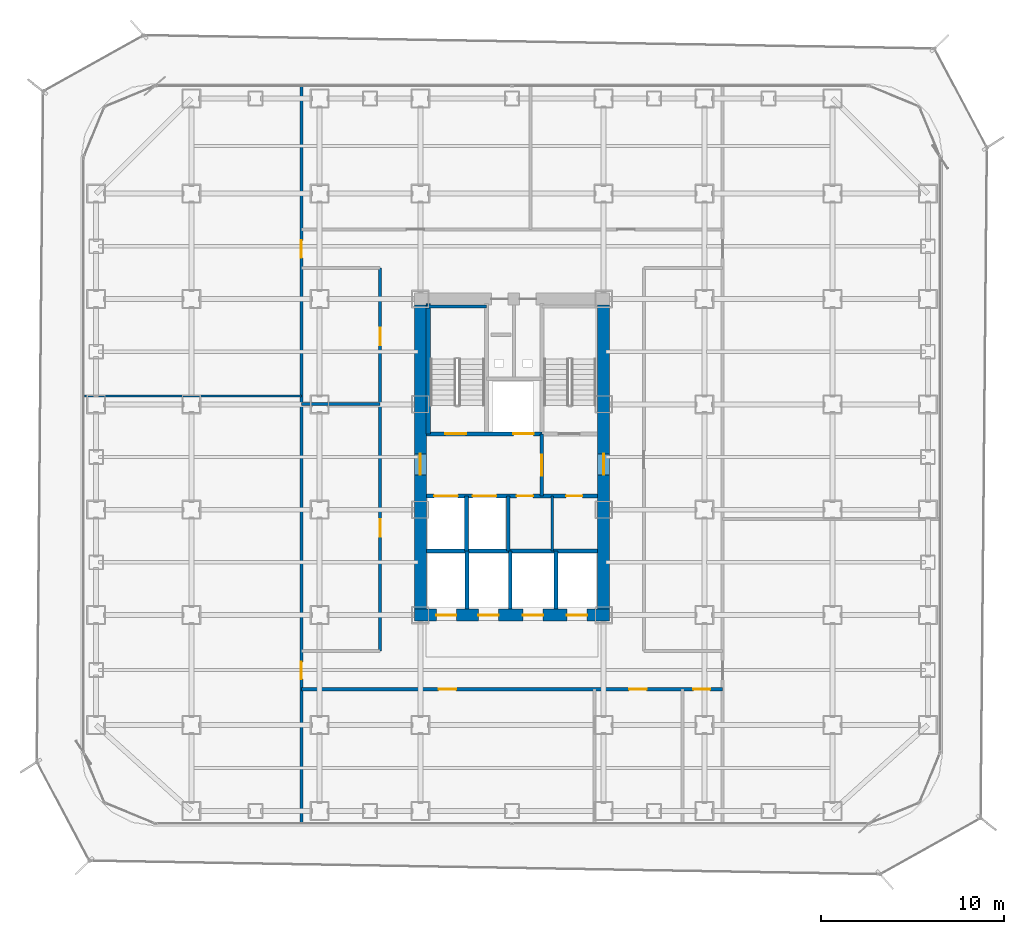
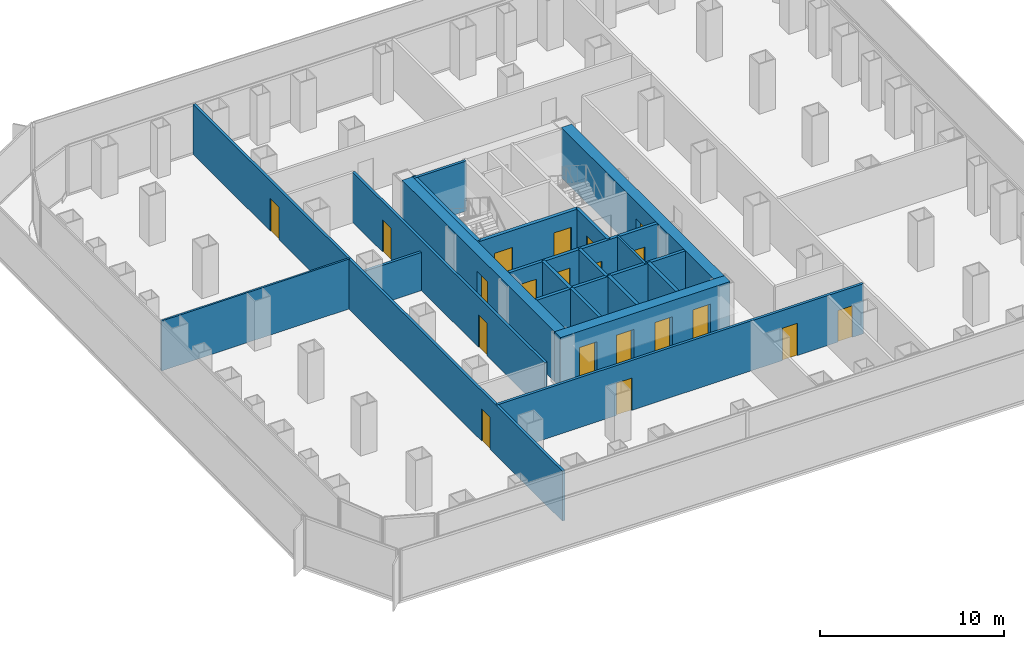
# One storey, part 17 of 21: 20 doors, 20 walls, 20 openings.
"""IFC4 building model written with IfcOpenShell, lengths in metres."""

from ifc_helpers import new_model, si_unit, direction, frame, frame_2d, origin, place, context, subcontext, project, spatial, rectangle, extrude, material, layer, layer_set, type_object, element, fill, save


model = new_model("IFC4")

# Units and contexts
model_context = context("Model", 3, precision=1e-05, world=origin(), true_north=direction((0.0, 1.0)))
body_context = subcontext(model_context, "Body", "Model", "MODEL_VIEW")
ifc_project = project(units=[si_unit("LENGTHUNIT", "METRE"), si_unit("AREAUNIT", "SQUARE_METRE"), si_unit("VOLUMEUNIT", "CUBIC_METRE"), si_unit("PLANEANGLEUNIT", "RADIAN"), si_unit("MASSUNIT", "GRAM", prefix="KILO")], contexts=[model_context])

# Site, building, storey
site_placement = place(None, origin())
site = spatial("IfcSite", under=ifc_project, at=site_placement, CompositionType="ELEMENT")
building_placement = place(site_placement, origin())
building = spatial("IfcBuilding", under=site, at=building_placement, Name="Kolveth Station Tower", CompositionType="ELEMENT")
storey_placement = place(building_placement, frame((0.0, 0.0, 58.5)))
storey = spatial("IfcBuildingStorey", under=building, at=storey_placement, Name="L15", CompositionType="ELEMENT", Elevation=58.5)

# Wall, openings, doors
ifc_material_1 = material(Name="Concrete C60/75", Category="concrete")
ifc_layer_1 = layer(ifc_material_1, 0.64990234375)
ifc_layer_set_1 = layer_set([ifc_layer_1], Name="Concrete C60/75")
wall_type_1 = type_object("IfcWallType", Name="Wall_CW-650", PredefinedType="SHEAR", material=ifc_layer_set_1)
wall_1_placement = place(storey_placement, frame((18.175048828125, 11.5, 0.0), z_axis=(0.0, 0.0, 1.0), x_axis=(1.0, 0.0, 0.0)))
wall_1 = element("IfcWall", 1, at=wall_1_placement, inside=storey, type_object=wall_type_1, Name="L15 Core RC Shear Wall S", PredefinedType="SHEAR", context=body_context, shape_type="SweptSolid", body=[
    extrude(rectangle(XDim=10.64990234375, YDim=0.64990234375, at=frame_2d((5.324951171875, 0.0))), origin(), (0.0, 0.0, 1.0), 3.320068359375),
])
opening_1_placement = place(wall_1_placement, frame((1.195068359375, 0.0, 0.0)))
opening_1 = element("IfcOpeningElement", 2, at=opening_1_placement, cuts=wall_1, Name="Opening LD1", PredefinedType="OPENING", context=body_context, shape_type="SweptSolid", body=[
    extrude(rectangle(XDim=1.10009765625, YDim=2.25, at=frame_2d((0.550048828125, 1.125))), frame((0.0, 0.3349609375, 0.0), z_axis=(0.0, -1.0, 0.0), x_axis=(1.0, 0.0, 0.0)), (0.0, 0.0, 1.0), 0.669921875),
])
opening_2_placement = place(wall_1_placement, frame((3.4951171875, 0.0, 0.0)))
opening_2 = element("IfcOpeningElement", 3, at=opening_2_placement, cuts=wall_1, Name="Opening LD1", PredefinedType="OPENING", context=body_context, shape_type="SweptSolid", body=[
    extrude(rectangle(XDim=1.10009765625, YDim=2.25, at=frame_2d((0.550048828125, 1.125))), frame((0.0, 0.3349609375, 0.0), z_axis=(0.0, -1.0, 0.0), x_axis=(1.0, 0.0, 0.0)), (0.0, 0.0, 1.0), 0.669921875),
])
opening_3_placement = place(wall_1_placement, frame((5.925048828125, 0.0, 0.0)))
opening_3 = element("IfcOpeningElement", 4, at=opening_3_placement, cuts=wall_1, Name="Opening LD1", PredefinedType="OPENING", context=body_context, shape_type="SweptSolid", body=[
    extrude(rectangle(XDim=1.10009765625, YDim=2.25, at=frame_2d((0.550048828125, 1.125))), frame((0.0, 0.3349609375, 0.0), z_axis=(0.0, -1.0, 0.0), x_axis=(1.0, 0.0, 0.0)), (0.0, 0.0, 1.0), 0.669921875),
])
opening_4_placement = place(wall_1_placement, frame((8.324951171875, 0.0, 0.0)))
opening_4 = element("IfcOpeningElement", 5, at=opening_4_placement, cuts=wall_1, Name="Opening LD1", PredefinedType="OPENING", context=body_context, shape_type="SweptSolid", body=[
    extrude(rectangle(XDim=1.10009765625, YDim=2.25, at=frame_2d((0.550048828125, 1.125))), frame((0.0, 0.3349609375, 0.0), z_axis=(0.0, -1.0, 0.0), x_axis=(1.0, 0.0, 0.0)), (0.0, 0.0, 1.0), 0.669921875),
])
ifc_material_2 = material(Name="Brushed stainless steel sliding landing doors", Category="steel")
door_type_1 = type_object("IfcDoorType", Name="Door_LD1", OperationType="NOTDEFINED", PredefinedType="DOOR", material=ifc_material_2)
door_1_placement = place(opening_1_placement, frame((1.10009765625, 0.0, 0.0), z_axis=(0.0, 0.0, 1.0), x_axis=(-1.0, 0.0, 0.0)))
door_1 = element("IfcDoor", 6, at=door_1_placement, inside=storey, type_object=door_type_1, Name="L15 Lift PL1 Landing Door", OperationType="DOUBLE_DOOR_SLIDING", OverallHeight=2.25, OverallWidth=1.10009765625, PredefinedType="DOOR", context=body_context, shape_type="SweptSolid", body=[
    extrude(rectangle(XDim=1.10009765625, YDim=2.25, at=frame_2d((0.550048828125, 1.125))), frame((0.0, 0.02490234375, 0.0), z_axis=(0.0, -1.0, 0.0), x_axis=(1.0, 0.0, 0.0)), (0.0, 0.0, 1.0), 0.050048828125),
])
fill(opening_1, door_1)
door_2_placement = place(opening_2_placement, frame((1.10009765625, 0.0, 0.0), z_axis=(0.0, 0.0, 1.0), x_axis=(-1.0, 0.0, 0.0)))
door_2 = element("IfcDoor", 7, at=door_2_placement, inside=storey, type_object=door_type_1, Name="L15 Lift PL2 Landing Door", OperationType="DOUBLE_DOOR_SLIDING", OverallHeight=2.25, OverallWidth=1.10009765625, PredefinedType="DOOR", context=body_context, shape_type="SweptSolid", body=[
    extrude(rectangle(XDim=1.10009765625, YDim=2.25, at=frame_2d((0.550048828125, 1.125))), frame((0.0, 0.02490234375, 0.0), z_axis=(0.0, -1.0, 0.0), x_axis=(1.0, 0.0, 0.0)), (0.0, 0.0, 1.0), 0.050048828125),
])
fill(opening_2, door_2)
door_3_placement = place(opening_3_placement, frame((1.10009765625, 0.0, 0.0), z_axis=(0.0, 0.0, 1.0), x_axis=(-1.0, 0.0, 0.0)))
door_3 = element("IfcDoor", 8, at=door_3_placement, inside=storey, type_object=door_type_1, Name="L15 Lift PM1 Landing Door", OperationType="DOUBLE_DOOR_SLIDING", OverallHeight=2.25, OverallWidth=1.10009765625, PredefinedType="DOOR", context=body_context, shape_type="SweptSolid", body=[
    extrude(rectangle(XDim=1.10009765625, YDim=2.25, at=frame_2d((0.550048828125, 1.125))), frame((0.0, 0.02490234375, 0.0), z_axis=(0.0, -1.0, 0.0), x_axis=(1.0, 0.0, 0.0)), (0.0, 0.0, 1.0), 0.050048828125),
])
fill(opening_3, door_3)
door_4_placement = place(opening_4_placement, frame((1.10009765625, 0.0, 0.0), z_axis=(0.0, 0.0, 1.0), x_axis=(-1.0, 0.0, 0.0)))
door_4 = element("IfcDoor", 9, at=door_4_placement, inside=storey, type_object=door_type_1, Name="L15 Lift PH1 Landing Door", OperationType="DOUBLE_DOOR_SLIDING", OverallHeight=2.25, OverallWidth=1.10009765625, PredefinedType="DOOR", context=body_context, shape_type="SweptSolid", body=[
    extrude(rectangle(XDim=1.10009765625, YDim=2.25, at=frame_2d((0.550048828125, 1.125))), frame((0.0, 0.02490234375, 0.0), z_axis=(0.0, -1.0, 0.0), x_axis=(1.0, 0.0, 0.0)), (0.0, 0.0, 1.0), 0.050048828125),
])
fill(opening_4, door_4)

# Wall, opening, door
wall_2_placement = place(storey_placement, frame((18.5, 11.824951171875, 0.0), z_axis=(0.0, 0.0, 1.0), x_axis=(0.0, 1.0, 0.0)))
wall_2 = element("IfcWall", 10, at=wall_2_placement, inside=storey, type_object=wall_type_1, Name="L15 Core RC Shear Wall W", PredefinedType="SHEAR", context=body_context, shape_type="SweptSolid", body=[
    extrude(rectangle(XDim=16.60009765625, YDim=0.64990234375, at=frame_2d((8.300048828125, 0.0))), origin(), (0.0, 0.0, 1.0), 3.320068359375),
])
opening_5_placement = place(wall_2_placement, frame((7.324951171875, 0.0, 0.0)))
opening_5 = element("IfcOpeningElement", 11, at=opening_5_placement, cuts=wall_2, Name="Opening FD1", PredefinedType="OPENING", context=body_context, shape_type="SweptSolid", body=[
    extrude(rectangle(XDim=1.14990234375, YDim=2.199951171875, at=frame_2d((0.574951171875, 1.10009765625))), frame((0.0, 0.3349609375, 0.0), z_axis=(0.0, -1.0, 0.0), x_axis=(1.0, 0.0, 0.0)), (0.0, 0.0, 1.0), 0.669921875),
])
ifc_material_3 = material(Name="Fire-rated Steel S355 leaf and frame", Category="steel")
door_type_2 = type_object("IfcDoorType", Name="Door_FD1", OperationType="NOTDEFINED", PredefinedType="DOOR", material=ifc_material_3)
door_5_placement = place(opening_5_placement, frame((1.14990234375, 0.0, 0.0), z_axis=(0.0, 0.0, 1.0), x_axis=(-1.0, 0.0, 0.0)))
door_5 = element("IfcDoor", 12, at=door_5_placement, inside=storey, type_object=door_type_2, Name="L15 West Corridor to Firefighting Lobby Door", OperationType="SINGLE_SWING_RIGHT", OverallHeight=2.199951171875, OverallWidth=1.14990234375, PredefinedType="DOOR", context=body_context, shape_type="SweptSolid", body=[
    extrude(rectangle(XDim=1.14990234375, YDim=2.199951171875, at=frame_2d((0.574951171875, 1.10009765625))), frame((0.0, 0.02490234375, 0.0), z_axis=(0.0, -1.0, 0.0), x_axis=(1.0, 0.0, 0.0)), (0.0, 0.0, 1.0), 0.050048828125),
])
fill(opening_5, door_5)

wall_3_placement = place(storey_placement, frame((28.5, 11.824951171875, 0.0), z_axis=(0.0, 0.0, 1.0), x_axis=(0.0, 1.0, 0.0)))
wall_3 = element("IfcWall", 13, at=wall_3_placement, inside=storey, type_object=wall_type_1, Name="L15 Core RC Shear Wall E", PredefinedType="SHEAR", context=body_context, shape_type="SweptSolid", body=[
    extrude(rectangle(XDim=16.60009765625, YDim=0.64990234375, at=frame_2d((8.300048828125, 0.0))), origin(), (0.0, 0.0, 1.0), 3.320068359375),
])
opening_6_placement = place(wall_3_placement, frame((7.324951171875, 0.0, 0.0)))
opening_6 = element("IfcOpeningElement", 14, at=opening_6_placement, cuts=wall_3, Name="Opening FD1", PredefinedType="OPENING", context=body_context, shape_type="SweptSolid", body=[
    extrude(rectangle(XDim=1.14990234375, YDim=2.199951171875, at=frame_2d((0.574951171875, 1.10009765625))), frame((0.0, 0.3349609375, 0.0), z_axis=(0.0, -1.0, 0.0), x_axis=(1.0, 0.0, 0.0)), (0.0, 0.0, 1.0), 0.669921875),
])
door_6_placement = place(opening_6_placement, origin())
door_6 = element("IfcDoor", 15, at=door_6_placement, inside=storey, type_object=door_type_2, Name="L15 East Corridor to Stair Lobby Door", OperationType="SINGLE_SWING_LEFT", OverallHeight=2.199951171875, OverallWidth=1.14990234375, PredefinedType="DOOR", context=body_context, shape_type="SweptSolid", body=[
    extrude(rectangle(XDim=1.14990234375, YDim=2.199951171875, at=frame_2d((0.574951171875, 1.10009765625))), frame((0.0, 0.02490234375, 0.0), z_axis=(0.0, -1.0, 0.0), x_axis=(1.0, 0.0, 0.0)), (0.0, 0.0, 1.0), 0.050048828125),
])
fill(opening_6, door_6)

# Walls
ifc_material_4 = material(Name="Framed gypsum partition")
ifc_layer_2 = layer(ifc_material_4, 0.114990234375)
ifc_layer_set_2 = layer_set([ifc_layer_2], Name="Framed gypsum partition")
wall_type_2 = type_object("IfcWallType", Name="Wall_IW-115", PredefinedType="PARTITIONING", material=ifc_layer_set_2)
wall_4_placement = place(storey_placement, frame((0.159912109375, 23.449951171875, 0.0), z_axis=(0.0, 0.0, 1.0), x_axis=(1.0, 0.0, 0.0)))
element("IfcWall", 16, at=wall_4_placement, inside=storey, type_object=wall_type_2, Name="L15 Partition Wall WL-L15-OWM", PredefinedType="PARTITIONING", context=body_context, shape_type="SweptSolid", body=[
    extrude(rectangle(XDim=11.840087890625, YDim=0.114990234375, at=frame_2d((5.919921875, 0.0))), origin(), (0.0, 0.0, 1.0), 3.320068359375),
])
ifc_material_5 = material(Name="Moisture-resistant gypsum partition")
ifc_layer_3 = layer(ifc_material_5, 0.135009765625)
ifc_layer_set_3 = layer_set([ifc_layer_3], Name="Moisture-resistant gypsum partition")
wall_type_3 = type_object("IfcWallType", Name="Wall_IW-135", PredefinedType="PARTITIONING", material=ifc_layer_set_3)
wall_5_placement = place(storey_placement, frame((25.699951171875, 15.0, 0.0), z_axis=(0.0, 0.0, 1.0), x_axis=(0.0, 1.0, 0.0)))
element("IfcWall", 17, at=wall_5_placement, inside=storey, type_object=wall_type_3, Name="L15 Partition Wall WL-L15-CB-V1", PredefinedType="PARTITIONING", context=body_context, shape_type="SweptSolid", body=[
    extrude(rectangle(XDim=3.0, YDim=0.135009765625, at=frame_2d((1.5, 0.0))), origin(), (0.0, 0.0, 1.0), 3.320068359375),
])
ifc_material_6 = material(Name="Acoustic double-stud gypsum partition")
ifc_layer_4 = layer(ifc_material_6, 0.1650390625)
ifc_layer_set_4 = layer_set([ifc_layer_4], Name="Acoustic double-stud gypsum partition")
wall_type_4 = type_object("IfcWallType", Name="Wall_IW-165", PredefinedType="PARTITIONING", material=ifc_layer_set_4)
wall_6_placement = place(storey_placement, frame((18.8349609375, 28.3349609375, 0.0), z_axis=(0.0, 0.0, 1.0), x_axis=(1.0, 0.0, 0.0)))
element("IfcWall", 18, at=wall_6_placement, inside=storey, type_object=wall_type_4, Name="L15 Stair Shaft Wall WL-L15-ST1-N", PredefinedType="PARTITIONING", context=body_context, shape_type="SweptSolid", body=[
    extrude(rectangle(XDim=3.275146484375, YDim=0.1650390625, at=frame_2d((1.6376953125, 0.0))), origin(), (0.0, 0.0, 1.0), 3.320068359375),
])

# Wall, openings, doors
wall_7_placement = place(storey_placement, frame((12.0, 7.449951171875, 0.0), z_axis=(0.0, 0.0, 1.0), x_axis=(1.0, 0.0, 0.0)))
wall_7 = element("IfcWall", 19, at=wall_7_placement, inside=storey, type_object=wall_type_4, Name="L15 Partition Wall WL-L15-OS", PredefinedType="PARTITIONING", context=body_context, shape_type="SweptSolid", body=[
    extrude(rectangle(XDim=23.0, YDim=0.1650390625, at=frame_2d((11.5, 0.0))), origin(), (0.0, 0.0, 1.0), 3.320068359375),
])
opening_7_placement = place(wall_7_placement, frame((7.5, 0.0, 0.0)))
opening_7 = element("IfcOpeningElement", 20, at=opening_7_placement, cuts=wall_7, Name="Opening ID1", PredefinedType="OPENING", context=body_context, shape_type="SweptSolid", body=[
    extrude(rectangle(XDim=0.949951171875, YDim=2.14990234375, at=frame_2d((0.47509765625, 1.074951171875))), frame((0.0, 0.092529296875, 0.0), z_axis=(0.0, -1.0, 0.0), x_axis=(1.0, 0.0, 0.0)), (0.0, 0.0, 1.0), 0.18505859375),
])
opening_8_placement = place(wall_7_placement, frame((17.89990234375, 0.0, 0.0)))
opening_8 = element("IfcOpeningElement", 21, at=opening_8_placement, cuts=wall_7, Name="Opening ID1", PredefinedType="OPENING", context=body_context, shape_type="SweptSolid", body=[
    extrude(rectangle(XDim=0.949951171875, YDim=2.14990234375, at=frame_2d((0.47509765625, 1.074951171875))), frame((0.0, 0.092529296875, 0.0), z_axis=(0.0, -1.0, 0.0), x_axis=(1.0, 0.0, 0.0)), (0.0, 0.0, 1.0), 0.18505859375),
])
opening_9_placement = place(wall_7_placement, frame((21.39990234375, 0.0, 0.0)))
opening_9 = element("IfcOpeningElement", 22, at=opening_9_placement, cuts=wall_7, Name="Opening ID2", PredefinedType="OPENING", context=body_context, shape_type="SweptSolid", body=[
    extrude(rectangle(XDim=0.919921875, YDim=2.10009765625, at=frame_2d((0.4599609375, 1.050048828125))), frame((0.0, 0.092529296875, 0.0), z_axis=(0.0, -1.0, 0.0), x_axis=(1.0, 0.0, 0.0)), (0.0, 0.0, 1.0), 0.18505859375),
])
ifc_material_7 = material(Name="Acoustic hardwood leaf and aluminium frame", Category="wood")
door_type_3 = type_object("IfcDoorType", Name="Door_ID1", OperationType="NOTDEFINED", PredefinedType="DOOR", material=ifc_material_7)
door_7_placement = place(opening_7_placement, frame((0.949951171875, 0.0, 0.0), z_axis=(0.0, 0.0, 1.0), x_axis=(-1.0, 0.0, 0.0)))
door_7 = element("IfcDoor", 23, at=door_7_placement, inside=storey, type_object=door_type_3, Name="L15 Engineering Co-Working Hall Door", OperationType="SINGLE_SWING_RIGHT", OverallHeight=2.14990234375, OverallWidth=0.949951171875, PredefinedType="DOOR", context=body_context, shape_type="SweptSolid", body=[
    extrude(rectangle(XDim=0.949951171875, YDim=2.14990234375, at=frame_2d((0.47509765625, 1.074951171875))), frame((0.0, 0.02490234375, 0.0), z_axis=(0.0, -1.0, 0.0), x_axis=(1.0, 0.0, 0.0)), (0.0, 0.0, 1.0), 0.050048828125),
])
fill(opening_7, door_7)
door_8_placement = place(opening_8_placement, frame((0.949951171875, 0.0, 0.0), z_axis=(0.0, 0.0, 1.0), x_axis=(-1.0, 0.0, 0.0)))
door_8 = element("IfcDoor", 24, at=door_8_placement, inside=storey, type_object=door_type_3, Name="L15 Wellness First Aid Room Door", OperationType="SINGLE_SWING_LEFT", OverallHeight=2.14990234375, OverallWidth=0.949951171875, PredefinedType="DOOR", context=body_context, shape_type="SweptSolid", body=[
    extrude(rectangle(XDim=0.949951171875, YDim=2.14990234375, at=frame_2d((0.47509765625, 1.074951171875))), frame((0.0, 0.02490234375, 0.0), z_axis=(0.0, -1.0, 0.0), x_axis=(1.0, 0.0, 0.0)), (0.0, 0.0, 1.0), 0.050048828125),
])
fill(opening_8, door_8)
ifc_material_8 = material(Name="Moisture-resistant hardwood leaf", Category="wood")
door_type_4 = type_object("IfcDoorType", Name="Door_ID2", OperationType="NOTDEFINED", PredefinedType="DOOR", material=ifc_material_8)
door_9_placement = place(opening_9_placement, frame((0.919921875, 0.0, 0.0), z_axis=(0.0, 0.0, 1.0), x_axis=(-1.0, 0.0, 0.0)))
door_9 = element("IfcDoor", 25, at=door_9_placement, inside=storey, type_object=door_type_4, Name="L15 Accessible WC Door", OperationType="SINGLE_SWING_LEFT", OverallHeight=2.10009765625, OverallWidth=0.919921875, PredefinedType="DOOR", context=body_context, shape_type="SweptSolid", body=[
    extrude(rectangle(XDim=0.919921875, YDim=2.10009765625, at=frame_2d((0.4599609375, 1.050048828125))), frame((0.0, 0.02490234375, 0.0), z_axis=(0.0, -1.0, 0.0), x_axis=(1.0, 0.0, 0.0)), (0.0, 0.0, 1.0), 0.050048828125),
])
fill(opening_9, door_9)

wall_8_placement = place(storey_placement, frame((16.300048828125, 9.550048828125, 0.0), z_axis=(0.0, 0.0, 1.0), x_axis=(0.0, 1.0, 0.0)))
wall_8 = element("IfcWall", 26, at=wall_8_placement, inside=storey, type_object=wall_type_4, Name="L15 Partition Wall WL-L15-OCW", PredefinedType="PARTITIONING", context=body_context, shape_type="SweptSolid", body=[
    extrude(rectangle(XDim=20.89990234375, YDim=0.1650390625, at=frame_2d((10.449951171875, 0.0))), origin(), (0.0, 0.0, 1.0), 3.320068359375),
])
opening_10_placement = place(wall_8_placement, frame((6.23095703125, 0.0, 0.0)))
opening_10 = element("IfcOpeningElement", 27, at=opening_10_placement, cuts=wall_8, Name="Opening ID1", PredefinedType="OPENING", context=body_context, shape_type="SweptSolid", body=[
    extrude(rectangle(XDim=0.949951171875, YDim=2.14990234375, at=frame_2d((0.47509765625, 1.074951171875))), frame((0.0, 0.092529296875, 0.0), z_axis=(0.0, -1.0, 0.0), x_axis=(1.0, 0.0, 0.0)), (0.0, 0.0, 1.0), 0.18505859375),
])
opening_11_placement = place(wall_8_placement, frame((16.680908203125, 0.0, 0.0)))
opening_11 = element("IfcOpeningElement", 28, at=opening_11_placement, cuts=wall_8, Name="Opening ID1", PredefinedType="OPENING", context=body_context, shape_type="SweptSolid", body=[
    extrude(rectangle(XDim=0.949951171875, YDim=2.14990234375, at=frame_2d((0.47509765625, 1.074951171875))), frame((0.0, 0.092529296875, 0.0), z_axis=(0.0, -1.0, 0.0), x_axis=(1.0, 0.0, 0.0)), (0.0, 0.0, 1.0), 0.18505859375),
])
door_10_placement = place(opening_10_placement, frame((0.949951171875, 0.0, 0.0), z_axis=(0.0, 0.0, 1.0), x_axis=(-1.0, 0.0, 0.0)))
door_10 = element("IfcDoor", 29, at=door_10_placement, inside=storey, type_object=door_type_3, Name="L15 Internal Meeting Room W1 Door", OperationType="SINGLE_SWING_LEFT", OverallHeight=2.14990234375, OverallWidth=0.949951171875, PredefinedType="DOOR", context=body_context, shape_type="SweptSolid", body=[
    extrude(rectangle(XDim=0.949951171875, YDim=2.14990234375, at=frame_2d((0.47509765625, 1.074951171875))), frame((0.0, 0.02490234375, 0.0), z_axis=(0.0, -1.0, 0.0), x_axis=(1.0, 0.0, 0.0)), (0.0, 0.0, 1.0), 0.050048828125),
])
fill(opening_10, door_10)
door_11_placement = place(opening_11_placement, frame((0.949951171875, 0.0, 0.0), z_axis=(0.0, 0.0, 1.0), x_axis=(-1.0, 0.0, 0.0)))
door_11 = element("IfcDoor", 30, at=door_11_placement, inside=storey, type_object=door_type_3, Name="L15 Print and Archive Room Door", OperationType="SINGLE_SWING_RIGHT", OverallHeight=2.14990234375, OverallWidth=0.949951171875, PredefinedType="DOOR", context=body_context, shape_type="SweptSolid", body=[
    extrude(rectangle(XDim=0.949951171875, YDim=2.14990234375, at=frame_2d((0.47509765625, 1.074951171875))), frame((0.0, 0.02490234375, 0.0), z_axis=(0.0, -1.0, 0.0), x_axis=(1.0, 0.0, 0.0)), (0.0, 0.0, 1.0), 0.050048828125),
])
fill(opening_11, door_11)

wall_9_placement = place(storey_placement, frame((12.0, 0.159912109375, 0.0), z_axis=(0.0, 0.0, 1.0), x_axis=(0.0, 1.0, 0.0)))
wall_9 = element("IfcWall", 31, at=wall_9_placement, inside=storey, type_object=wall_type_4, Name="L15 Partition Wall WL-L15-OWEND", PredefinedType="PARTITIONING", context=body_context, shape_type="SweptSolid", body=[
    extrude(rectangle(XDim=40.18017578125, YDim=0.1650390625, at=frame_2d((20.090087890625, 0.0))), origin(), (0.0, 0.0, 1.0), 3.320068359375),
])
opening_12_placement = place(wall_9_placement, frame((7.840087890625, 0.0, 0.0)))
opening_12 = element("IfcOpeningElement", 32, at=opening_12_placement, cuts=wall_9, Name="Opening ID1", PredefinedType="OPENING", context=body_context, shape_type="SweptSolid", body=[
    extrude(rectangle(XDim=0.949951171875, YDim=2.14990234375, at=frame_2d((0.47509765625, 1.074951171875))), frame((0.0, 0.092529296875, 0.0), z_axis=(0.0, -1.0, 0.0), x_axis=(1.0, 0.0, 0.0)), (0.0, 0.0, 1.0), 0.18505859375),
])
opening_13_placement = place(wall_9_placement, frame((30.840087890625, 0.0, 0.0)))
opening_13 = element("IfcOpeningElement", 33, at=opening_13_placement, cuts=wall_9, Name="Opening ID1", PredefinedType="OPENING", context=body_context, shape_type="SweptSolid", body=[
    extrude(rectangle(XDim=0.949951171875, YDim=2.14990234375, at=frame_2d((0.47509765625, 1.074951171875))), frame((0.0, 0.092529296875, 0.0), z_axis=(0.0, -1.0, 0.0), x_axis=(1.0, 0.0, 0.0)), (0.0, 0.0, 1.0), 0.18505859375),
])
door_12_placement = place(opening_12_placement, frame((0.949951171875, 0.0, 0.0), z_axis=(0.0, 0.0, 1.0), x_axis=(-1.0, 0.0, 0.0)))
door_12 = element("IfcDoor", 34, at=door_12_placement, inside=storey, type_object=door_type_3, Name="L15 West-South Wing Door", OperationType="SINGLE_SWING_LEFT", OverallHeight=2.14990234375, OverallWidth=0.949951171875, PredefinedType="DOOR", context=body_context, shape_type="SweptSolid", body=[
    extrude(rectangle(XDim=0.949951171875, YDim=2.14990234375, at=frame_2d((0.47509765625, 1.074951171875))), frame((0.0, 0.02490234375, 0.0), z_axis=(0.0, -1.0, 0.0), x_axis=(1.0, 0.0, 0.0)), (0.0, 0.0, 1.0), 0.050048828125),
])
fill(opening_12, door_12)
door_13_placement = place(opening_13_placement, frame((0.949951171875, 0.0, 0.0), z_axis=(0.0, 0.0, 1.0), x_axis=(-1.0, 0.0, 0.0)))
door_13 = element("IfcDoor", 35, at=door_13_placement, inside=storey, type_object=door_type_3, Name="L15 West-North Wing Door", OperationType="SINGLE_SWING_RIGHT", OverallHeight=2.14990234375, OverallWidth=0.949951171875, PredefinedType="DOOR", context=body_context, shape_type="SweptSolid", body=[
    extrude(rectangle(XDim=0.949951171875, YDim=2.14990234375, at=frame_2d((0.47509765625, 1.074951171875))), frame((0.0, 0.02490234375, 0.0), z_axis=(0.0, -1.0, 0.0), x_axis=(1.0, 0.0, 0.0)), (0.0, 0.0, 1.0), 0.050048828125),
])
fill(opening_13, door_13)

# Wall
wall_10_placement = place(storey_placement, frame((12.0, 23.011962890625, 0.0), z_axis=(0.0, 0.0, 1.0), x_axis=(1.0, 0.0, 0.0)))
element("IfcWall", 36, at=wall_10_placement, inside=storey, type_object=wall_type_4, Name="L15 Partition Wall WL-L15-OIW-P1", PredefinedType="PARTITIONING", context=body_context, shape_type="SweptSolid", body=[
    extrude(rectangle(XDim=4.300048828125, YDim=0.1650390625, at=frame_2d((2.14990234375, 0.0))), origin(), (0.0, 0.0, 1.0), 2.5390625),
])

# Wall, opening, door
ifc_material_9 = material(Name="Acoustic fire-rated gypsum blockwork", Category="masonry")
ifc_layer_5 = layer(ifc_material_9, 0.199951171875)
ifc_layer_set_5 = layer_set([ifc_layer_5], Name="Acoustic fire-rated gypsum blockwork")
wall_type_5 = type_object("IfcWallType", Name="Wall_IW-200", PredefinedType="PARTITIONING", material=ifc_layer_set_5)
wall_11_placement = place(storey_placement, frame((25.1298828125, 18.0, 0.0), z_axis=(0.0, 0.0, 1.0), x_axis=(0.0, 1.0, 0.0)))
wall_11 = element("IfcWall", 37, at=wall_11_placement, inside=storey, type_object=wall_type_5, Name="L15 Partition Wall WL-L15-FFL-E", PredefinedType="PARTITIONING", context=body_context, shape_type="SweptSolid", body=[
    extrude(rectangle(XDim=3.389892578125, YDim=0.199951171875, at=frame_2d((1.69482421875, 0.0))), origin(), (0.0, 0.0, 1.0), 3.320068359375),
])
opening_14_placement = place(wall_11_placement, frame((1.10009765625, 0.0, 0.0)))
opening_14 = element("IfcOpeningElement", 38, at=opening_14_placement, cuts=wall_11, Name="Opening FD1", PredefinedType="OPENING", context=body_context, shape_type="SweptSolid", body=[
    extrude(rectangle(XDim=1.14990234375, YDim=2.199951171875, at=frame_2d((0.574951171875, 1.10009765625))), frame((0.0, 0.10986328125, 0.0), z_axis=(0.0, -1.0, 0.0), x_axis=(1.0, 0.0, 0.0)), (0.0, 0.0, 1.0), 0.219970703125),
])
door_14_placement = place(opening_14_placement, origin())
door_14 = element("IfcDoor", 39, at=door_14_placement, inside=storey, type_object=door_type_2, Name="L15 Firefighting to Stair Lobby Door", OperationType="SINGLE_SWING_LEFT", OverallHeight=2.199951171875, OverallWidth=1.14990234375, PredefinedType="DOOR", context=body_context, shape_type="SweptSolid", body=[
    extrude(rectangle(XDim=1.14990234375, YDim=2.199951171875, at=frame_2d((0.574951171875, 1.10009765625))), frame((0.0, 0.02490234375, 0.0), z_axis=(0.0, -1.0, 0.0), x_axis=(1.0, 0.0, 0.0)), (0.0, 0.0, 1.0), 0.050048828125),
])
fill(opening_14, door_14)

# Wall, openings, doors
wall_12_placement = place(storey_placement, frame((18.8349609375, 18.0, 0.0), z_axis=(0.0, 0.0, 1.0), x_axis=(1.0, 0.0, 0.0)))
wall_12 = element("IfcWall", 40, at=wall_12_placement, inside=storey, type_object=wall_type_5, Name="L15 Partition Wall WL-L15-FFL-S", PredefinedType="PARTITIONING", context=body_context, shape_type="SweptSolid", body=[
    extrude(rectangle(XDim=9.330078125, YDim=0.199951171875, at=frame_2d((4.6650390625, 0.0))), origin(), (0.0, 0.0, 1.0), 3.320068359375),
])
opening_15_placement = place(wall_12_placement, frame((0.4150390625, 0.0, 0.0)))
opening_15 = element("IfcOpeningElement", 41, at=opening_15_placement, cuts=wall_12, Name="Opening LD2", PredefinedType="OPENING", context=body_context, shape_type="SweptSolid", body=[
    extrude(rectangle(XDim=1.300048828125, YDim=2.300048828125, at=frame_2d((0.64990234375, 1.14990234375))), frame((0.0, 0.10986328125, 0.0), z_axis=(0.0, -1.0, 0.0), x_axis=(1.0, 0.0, 0.0)), (0.0, 0.0, 1.0), 0.219970703125),
])
opening_16_placement = place(wall_12_placement, frame((2.514892578125, 0.0, 0.0)))
opening_16 = element("IfcOpeningElement", 42, at=opening_16_placement, cuts=wall_12, Name="Opening LD2", PredefinedType="OPENING", context=body_context, shape_type="SweptSolid", body=[
    extrude(rectangle(XDim=1.300048828125, YDim=2.300048828125, at=frame_2d((0.64990234375, 1.14990234375))), frame((0.0, 0.10986328125, 0.0), z_axis=(0.0, -1.0, 0.0), x_axis=(1.0, 0.0, 0.0)), (0.0, 0.0, 1.0), 0.219970703125),
])
opening_17_placement = place(wall_12_placement, frame((4.9150390625, 0.0, 0.0)))
opening_17 = element("IfcOpeningElement", 43, at=opening_17_placement, cuts=wall_12, Name="Opening RD1", PredefinedType="OPENING", context=body_context, shape_type="SweptSolid", body=[
    extrude(rectangle(XDim=0.89990234375, YDim=2.050048828125, at=frame_2d((0.449951171875, 1.02490234375))), frame((0.0, 0.10986328125, 0.0), z_axis=(0.0, -1.0, 0.0), x_axis=(1.0, 0.0, 0.0)), (0.0, 0.0, 1.0), 0.219970703125),
])
opening_18_placement = place(wall_12_placement, frame((7.614990234375, 0.0, 0.0)))
opening_18 = element("IfcOpeningElement", 44, at=opening_18_placement, cuts=wall_12, Name="Opening RD1", PredefinedType="OPENING", context=body_context, shape_type="SweptSolid", body=[
    extrude(rectangle(XDim=0.89990234375, YDim=2.050048828125, at=frame_2d((0.449951171875, 1.02490234375))), frame((0.0, 0.10986328125, 0.0), z_axis=(0.0, -1.0, 0.0), x_axis=(1.0, 0.0, 0.0)), (0.0, 0.0, 1.0), 0.219970703125),
])
ifc_material_10 = material(Name="Firefighting stainless steel sliding landing doors", Category="steel")
door_type_5 = type_object("IfcDoorType", Name="Door_LD2", OperationType="NOTDEFINED", PredefinedType="DOOR", material=ifc_material_10)
door_15_placement = place(opening_15_placement, origin())
door_15 = element("IfcDoor", 45, at=door_15_placement, inside=storey, type_object=door_type_5, Name="L15 Firefighting Lift FF1 Landing Door", OperationType="DOUBLE_DOOR_SLIDING", OverallHeight=2.300048828125, OverallWidth=1.300048828125, PredefinedType="DOOR", context=body_context, shape_type="SweptSolid", body=[
    extrude(rectangle(XDim=1.300048828125, YDim=2.300048828125, at=frame_2d((0.64990234375, 1.14990234375))), frame((0.0, 0.02490234375, 0.0), z_axis=(0.0, -1.0, 0.0), x_axis=(1.0, 0.0, 0.0)), (0.0, 0.0, 1.0), 0.050048828125),
])
fill(opening_15, door_15)
door_16_placement = place(opening_16_placement, origin())
door_16 = element("IfcDoor", 46, at=door_16_placement, inside=storey, type_object=door_type_5, Name="L15 Firefighting Lift FF2 Landing Door", OperationType="DOUBLE_DOOR_SLIDING", OverallHeight=2.300048828125, OverallWidth=1.300048828125, PredefinedType="DOOR", context=body_context, shape_type="SweptSolid", body=[
    extrude(rectangle(XDim=1.300048828125, YDim=2.300048828125, at=frame_2d((0.64990234375, 1.14990234375))), frame((0.0, 0.02490234375, 0.0), z_axis=(0.0, -1.0, 0.0), x_axis=(1.0, 0.0, 0.0)), (0.0, 0.0, 1.0), 0.050048828125),
])
fill(opening_16, door_16)
ifc_material_11 = material(Name="Fire-rated Steel S355 riser access leaf", Category="steel")
door_type_6 = type_object("IfcDoorType", Name="Door_RD1", OperationType="NOTDEFINED", PredefinedType="DOOR", material=ifc_material_11)
door_17_placement = place(opening_17_placement, frame((0.89990234375, 0.0, 0.0), z_axis=(0.0, 0.0, 1.0), x_axis=(-1.0, 0.0, 0.0)))
door_17 = element("IfcDoor", 47, at=door_17_placement, inside=storey, type_object=door_type_6, Name="L15 Core Accessible WC Door", OperationType="SINGLE_SWING_RIGHT", OverallHeight=2.050048828125, OverallWidth=0.89990234375, PredefinedType="DOOR", context=body_context, shape_type="SweptSolid", body=[
    extrude(rectangle(XDim=0.89990234375, YDim=2.050048828125, at=frame_2d((0.449951171875, 1.02490234375))), frame((0.0, 0.02490234375, 0.0), z_axis=(0.0, -1.0, 0.0), x_axis=(1.0, 0.0, 0.0)), (0.0, 0.0, 1.0), 0.050048828125),
])
fill(opening_17, door_17)
door_18_placement = place(opening_18_placement, frame((0.89990234375, 0.0, 0.0), z_axis=(0.0, 0.0, 1.0), x_axis=(-1.0, 0.0, 0.0)))
door_18 = element("IfcDoor", 48, at=door_18_placement, inside=storey, type_object=door_type_6, Name="L15 Core Cleaner Store Door", OperationType="SINGLE_SWING_LEFT", OverallHeight=2.050048828125, OverallWidth=0.89990234375, PredefinedType="DOOR", context=body_context, shape_type="SweptSolid", body=[
    extrude(rectangle(XDim=0.89990234375, YDim=2.050048828125, at=frame_2d((0.449951171875, 1.02490234375))), frame((0.0, 0.02490234375, 0.0), z_axis=(0.0, -1.0, 0.0), x_axis=(1.0, 0.0, 0.0)), (0.0, 0.0, 1.0), 0.050048828125),
])
fill(opening_18, door_18)

# Walls
for number, where, z_axis, x_axis, name in (
    (49, (21.02001953125, 15.0, 0.0), (0.0, 0.0, 1.0), (0.0, 1.0, 0.0), "L15 Partition Wall WL-L15-FF12"),
    (50, (23.300048828125, 15.0, 0.0), (0.0, 0.0, 1.0), (0.0, 1.0, 0.0), "L15 Partition Wall WL-L15-FF2E"),
):
    element("IfcWall", number, at=place(storey_placement, frame(where, z_axis=z_axis, x_axis=x_axis)), inside=storey, type_object=wall_type_5, Name=name, PredefinedType="PARTITIONING", context=body_context, shape_type="SweptSolid", body=[
        extrude(rectangle(XDim=3.0, YDim=0.199951171875, at=frame_2d((1.5, 0.0))), origin(), (0.0, 0.0, 1.0), 3.320068359375),
    ])
wall_13_placement = place(storey_placement, frame((18.8349609375, 15.0, 0.0), z_axis=(0.0, 0.0, 1.0), x_axis=(1.0, 0.0, 0.0)))
element("IfcWall", 51, at=wall_13_placement, inside=storey, type_object=wall_type_5, Name="L15 Partition Wall WL-L15-BOH-S", PredefinedType="PARTITIONING", context=body_context, shape_type="SweptSolid", body=[
    extrude(rectangle(XDim=9.330078125, YDim=0.199951171875, at=frame_2d((4.6650390625, 0.0))), origin(), (0.0, 0.0, 1.0), 3.320068359375),
])
for number, where, z_axis, x_axis, name in (
    (52, (21.050048828125, 11.8349609375, 0.0), (0.0, 0.0, 1.0), (0.0, 1.0, 0.0), "L15 Partition Wall WL-L15-PL12"),
    (53, (23.39990234375, 11.8349609375, 0.0), (0.0, 0.0, 1.0), (0.0, 1.0, 0.0), "L15 Partition Wall WL-L15-PL2E"),
    (54, (25.89990234375, 11.8349609375, 0.0), (0.0, 0.0, 1.0), (0.0, 1.0, 0.0), "L15 Partition Wall WL-L15-PMPH"),
):
    element("IfcWall", number, at=place(storey_placement, frame(where, z_axis=z_axis, x_axis=x_axis)), inside=storey, type_object=wall_type_5, Name=name, PredefinedType="PARTITIONING", context=body_context, shape_type="SweptSolid", body=[
        extrude(rectangle(XDim=3.1650390625, YDim=0.199951171875, at=frame_2d((1.58251953125, 0.0))), origin(), (0.0, 0.0, 1.0), 3.320068359375),
    ])
ifc_material_12 = material(Name="Concrete C40/50", Category="concrete")
ifc_layer_6 = layer(ifc_material_12, 0.219970703125)
ifc_layer_set_6 = layer_set([ifc_layer_6], Name="Concrete C40/50")
wall_type_6 = type_object("IfcWallType", Name="Wall_IW-220", PredefinedType="SOLIDWALL", material=ifc_layer_set_6)
wall_14_placement = place(storey_placement, frame((18.929931640625, 21.389892578125, 0.0), z_axis=(0.0, 0.0, 1.0), x_axis=(0.0, 1.0, 0.0)))
element("IfcWall", 55, at=wall_14_placement, inside=storey, type_object=wall_type_6, Name="L15 Stair Shaft Wall WL-L15-ST1-W", PredefinedType="SOLIDWALL", context=body_context, shape_type="SweptSolid", body=[
    extrude(rectangle(XDim=7.110107421875, YDim=0.219970703125, at=frame_2d((3.55517578125, 0.0))), origin(), (0.0, 0.0, 1.0), 3.320068359375),
])

# Wall, openings, doors
wall_15_placement = place(storey_placement, frame((18.8349609375, 21.389892578125, 0.0), z_axis=(0.0, 0.0, 1.0), x_axis=(1.0, 0.0, 0.0)))
wall_15 = element("IfcWall", 56, at=wall_15_placement, inside=storey, type_object=wall_type_6, Name="L15 Stair Shaft Wall WL-L15-ST1-S", PredefinedType="SOLIDWALL", context=body_context, shape_type="SweptSolid", body=[
    extrude(rectangle(XDim=6.294921875, YDim=0.219970703125, at=frame_2d((3.1474609375, 0.0))), origin(), (0.0, 0.0, 1.0), 3.320068359375),
])
opening_19_placement = place(wall_15_placement, frame((1.014892578125, 0.0, 0.0)))
opening_19 = element("IfcOpeningElement", 57, at=opening_19_placement, cuts=wall_15, Name="Opening FD1", PredefinedType="OPENING", context=body_context, shape_type="SweptSolid", body=[
    extrude(rectangle(XDim=1.14990234375, YDim=2.199951171875, at=frame_2d((0.574951171875, 1.10009765625))), frame((0.0, 0.119873046875, 0.0), z_axis=(0.0, -1.0, 0.0), x_axis=(1.0, 0.0, 0.0)), (0.0, 0.0, 1.0), 0.239990234375),
])
opening_20_placement = place(wall_15_placement, frame((4.7451171875, 0.0, 0.0)))
opening_20 = element("IfcOpeningElement", 58, at=opening_20_placement, cuts=wall_15, Name="Opening LD1", PredefinedType="OPENING", context=body_context, shape_type="SweptSolid", body=[
    extrude(rectangle(XDim=1.10009765625, YDim=2.25, at=frame_2d((0.550048828125, 1.125))), frame((0.0, 0.119873046875, 0.0), z_axis=(0.0, -1.0, 0.0), x_axis=(1.0, 0.0, 0.0)), (0.0, 0.0, 1.0), 0.239990234375),
])
door_19_placement = place(opening_19_placement, frame((1.14990234375, 0.0, 0.0), z_axis=(0.0, 0.0, 1.0), x_axis=(-1.0, 0.0, 0.0)))
door_19 = element("IfcDoor", 59, at=door_19_placement, inside=storey, type_object=door_type_2, Name="L15 Stair ST1 Fire Door", OperationType="SINGLE_SWING_LEFT", OverallHeight=2.199951171875, OverallWidth=1.14990234375, PredefinedType="DOOR", context=body_context, shape_type="SweptSolid", body=[
    extrude(rectangle(XDim=1.14990234375, YDim=2.199951171875, at=frame_2d((0.574951171875, 1.10009765625))), frame((0.0, 0.02490234375, 0.0), z_axis=(0.0, -1.0, 0.0), x_axis=(1.0, 0.0, 0.0)), (0.0, 0.0, 1.0), 0.050048828125),
])
fill(opening_19, door_19)
door_20_placement = place(opening_20_placement, frame((1.10009765625, 0.0, 0.0), z_axis=(0.0, 0.0, 1.0), x_axis=(-1.0, 0.0, 0.0)))
door_20 = element("IfcDoor", 60, at=door_20_placement, inside=storey, type_object=door_type_1, Name="L15 Service Lift SV1 Landing Door", OperationType="DOUBLE_DOOR_SLIDING", OverallHeight=2.25, OverallWidth=1.10009765625, PredefinedType="DOOR", context=body_context, shape_type="SweptSolid", body=[
    extrude(rectangle(XDim=1.10009765625, YDim=2.25, at=frame_2d((0.550048828125, 1.125))), frame((0.0, 0.02490234375, 0.0), z_axis=(0.0, -1.0, 0.0), x_axis=(1.0, 0.0, 0.0)), (0.0, 0.0, 1.0), 0.050048828125),
])
fill(opening_20, door_20)

save(model, "model.ifc")
